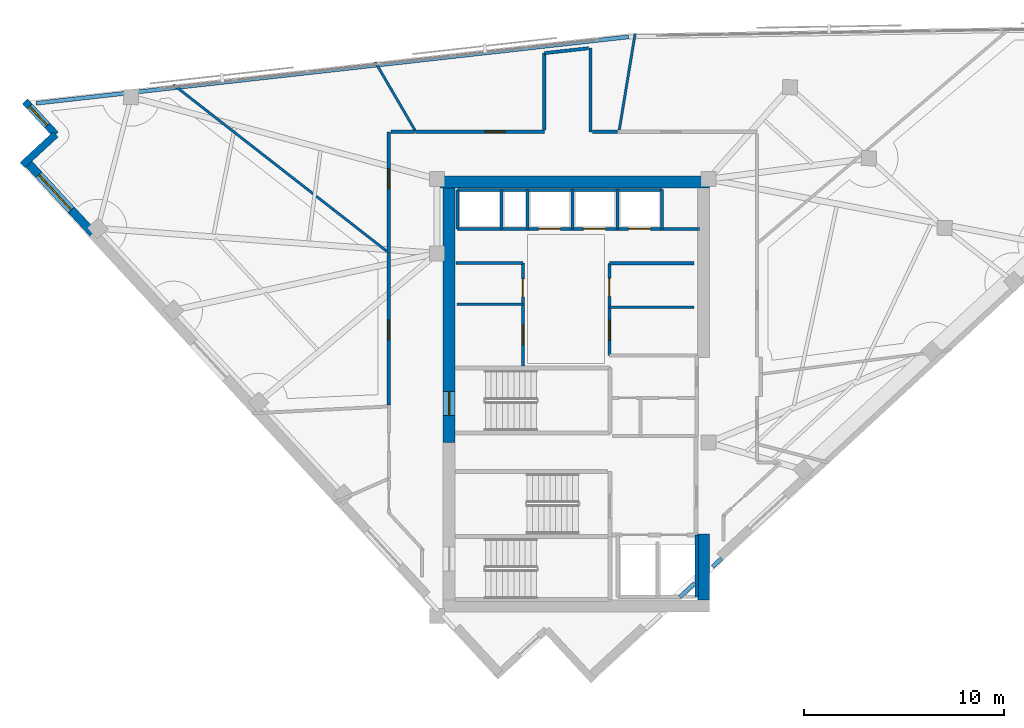
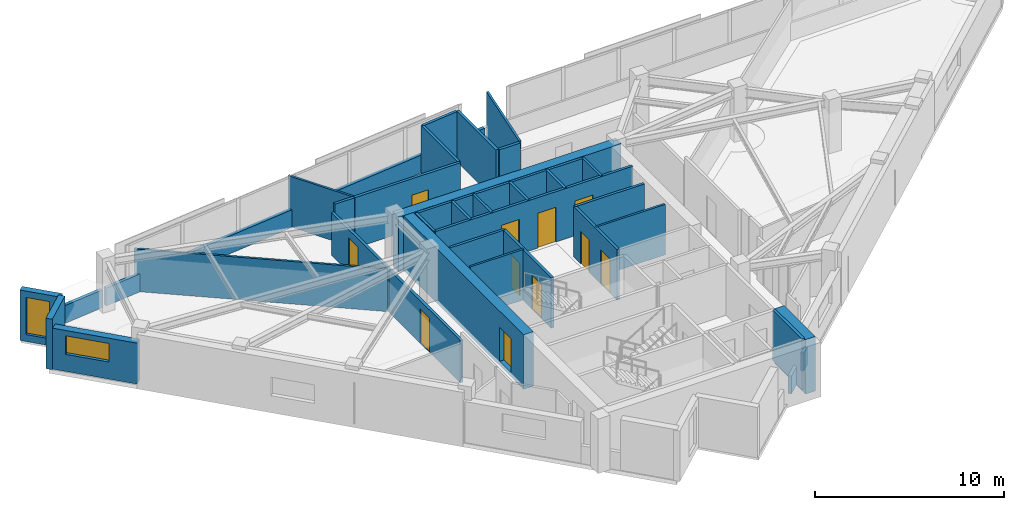
# One storey, part 9 of 13: 37 walls, 11 doors, 2 windows, 13 openings.
"""IFC4 building model written with IfcOpenShell, lengths in metres."""

from ifc_helpers import new_model, si_unit, direction, frame, frame_2d, origin, place, context, subcontext, project, spatial, rectangle, extrude, material, layer, layer_set, type_object, element, fill, save


model = new_model("IFC4")

# Units and contexts
model_context = context("Model", 3, precision=1e-05, world=origin(), true_north=direction((0.0, 1.0)))
body_context = subcontext(model_context, "Body", "Model", "MODEL_VIEW")
ifc_project = project(units=[si_unit("LENGTHUNIT", "METRE"), si_unit("AREAUNIT", "SQUARE_METRE"), si_unit("VOLUMEUNIT", "CUBIC_METRE"), si_unit("PLANEANGLEUNIT", "RADIAN"), si_unit("MASSUNIT", "GRAM", prefix="KILO")], contexts=[model_context])

# Site, building, storey
site_placement = place(None, origin())
site = spatial("IfcSite", under=ifc_project, at=site_placement, CompositionType="ELEMENT")
building_placement = place(site_placement, origin())
building = spatial("IfcBuilding", under=site, at=building_placement, Name="Narakoshi Arena Tower", CompositionType="ELEMENT")
storey_placement = place(building_placement, frame((0.0, 0.0, 278.340087890625)))
storey = spatial("IfcBuildingStorey", under=building, at=storey_placement, Name="L76", CompositionType="ELEMENT", Elevation=278.340087890625)

# Wall
ifc_material_1 = material(Name="Concrete C50/60", Category="concrete")
ifc_layer_1 = layer(ifc_material_1, 0.60009765625)
ifc_layer_set_1 = layer_set([ifc_layer_1], Name="Concrete C50/60")
wall_type_1 = type_object("IfcWallType", Name="WL-CORE-600", PredefinedType="SHEAR", material=ifc_layer_set_1)
wall_1_placement = place(storey_placement, frame((85.300048828125, 35.5, -0.260009765625), z_axis=(0.0, 0.0, 1.0), x_axis=(0.0, 1.0, 0.0)))
element("IfcWall", 1, at=wall_1_placement, inside=storey, type_object=wall_type_1, Name="L76 Central Core Shear Wall CW-APX-E", PredefinedType="SHEAR", context=body_context, shape_type="SweptSolid", body=[
    extrude(rectangle(XDim=3.300048828125, YDim=0.60009765625, at=frame_2d((1.64990234375, 0.0))), origin(), (0.0, 0.0, 1.0), 3.52001953125),
])

# Wall, opening, door
wall_2_placement = place(storey_placement, frame((72.60009765625, 43.35009765625, -0.260009765625), z_axis=(0.0, 0.0, 1.0), x_axis=(0.0, 1.0, 0.0)))
wall_2 = element("IfcWall", 2, at=wall_2_placement, inside=storey, type_object=wall_type_1, Name="L76 Main Core Shear Wall CW-MN-W", PredefinedType="SHEAR", context=body_context, shape_type="SweptSolid", body=[
    extrude(rectangle(XDim=12.699951171875, YDim=0.60009765625, at=frame_2d((6.35009765625, 0.0))), origin(), (0.0, 0.0, 1.0), 3.52001953125),
])
opening_1_placement = place(wall_2_placement, frame((1.35009765625, 0.0, 0.260009765625)))
opening_1 = element("IfcOpeningElement", 3, at=opening_1_placement, cuts=wall_2, Name="Opening D-03", PredefinedType="OPENING", context=body_context, shape_type="SweptSolid", body=[
    extrude(rectangle(XDim=1.199951171875, YDim=2.199951171875, at=frame_2d((0.60009765625, 1.10009765625))), frame((0.0, 0.31005859375, 0.0), z_axis=(0.0, -1.0, 0.0), x_axis=(1.0, 0.0, 0.0)), (0.0, 0.0, 1.0), 0.6201171875),
])
ifc_material_2 = material(Name="Painted galvanized steel", Category="steel")
door_type_1 = type_object("IfcDoorType", Name="DR-STR-1200", OperationType="NOTDEFINED", PredefinedType="USERDEFINED", material=ifc_material_2)
door_1_placement = place(opening_1_placement, frame((1.199951171875, 0.0, 0.0), z_axis=(0.0, 0.0, 1.0), x_axis=(-1.0, 0.0, 0.0)))
door_1 = element("IfcDoor", 4, at=door_1_placement, inside=storey, type_object=door_type_1, Name="DR-L76-006", ObjectType="EXITDOOR", OperationType="SINGLE_SWING_LEFT", OverallHeight=2.199951171875, OverallWidth=1.199951171875, PredefinedType="USERDEFINED", context=body_context, shape_type="SweptSolid", body=[
    extrude(rectangle(XDim=1.199951171875, YDim=2.199951171875, at=frame_2d((0.60009765625, 1.10009765625))), frame((0.0, 0.02490234375, 0.0), z_axis=(0.0, -1.0, 0.0), x_axis=(1.0, 0.0, 0.0)), (0.0, 0.0, 1.0), 0.050048828125),
])
fill(opening_1, door_1)

# Wall
wall_3_placement = place(storey_placement, frame((72.0, 56.35009765625, -0.260009765625), z_axis=(0.0, 0.0, 1.0), x_axis=(1.0, 0.0, 0.0)))
element("IfcWall", 5, at=wall_3_placement, inside=storey, type_object=wall_type_1, Name="L76 Main Core Shear Wall CW-MN-N", PredefinedType="SHEAR", context=body_context, shape_type="SweptSolid", body=[
    extrude(rectangle(XDim=13.60009765625, YDim=0.60009765625, at=frame_2d((6.800048828125, 0.0))), origin(), (0.0, 0.0, 1.0), 3.52001953125),
])

# Wall, opening, door
ifc_material_3 = material(Name="Gypsum plasterboard fire-rated partition")
ifc_layer_2 = layer(ifc_material_3, 0.1650390625)
ifc_layer_set_2 = layer_set([ifc_layer_2], Name="Gypsum plasterboard fire-rated partition")
wall_type_2 = type_object("IfcWallType", Name="WL-CORR-165", PredefinedType="PARTITIONING", material=ifc_layer_set_2)
wall_4_placement = place(storey_placement, frame((77.35009765625, 58.861328125, 0.0), z_axis=(0.0, 0.0, 1.0), x_axis=(-1.0, 0.0, 0.0)))
wall_4 = element("IfcWall", 6, at=wall_4_placement, inside=storey, type_object=wall_type_2, Name="L76 Corridor Partition 07-1", PredefinedType="PARTITIONING", context=body_context, shape_type="SweptSolid", body=[
    extrude(rectangle(XDim=6.44287109375, YDim=0.1650390625, at=frame_2d((3.221435546875, 0.0))), origin(), (0.0, 0.0, 1.0), 3.260009765625),
])
opening_2_placement = place(wall_4_placement, frame((1.965087890625, 0.0, 0.0)))
opening_2 = element("IfcOpeningElement", 7, at=opening_2_placement, cuts=wall_4, Name="Opening D-06", PredefinedType="OPENING", context=body_context, shape_type="SweptSolid", body=[
    extrude(rectangle(XDim=1.0, YDim=2.199951171875, at=frame_2d((0.5, 1.10009765625))), frame((0.0, 0.092529296875, 0.0), z_axis=(0.0, -1.0, 0.0), x_axis=(1.0, 0.0, 0.0)), (0.0, 0.0, 1.0), 0.18505859375),
])
ifc_material_4 = material(Name="Stained oak solid-core timber", Category="wood")
door_type_2 = type_object("IfcDoorType", Name="DR-OFF-1000", OperationType="NOTDEFINED", PredefinedType="DOOR", material=ifc_material_4)
door_2_placement = place(opening_2_placement, frame((1.0, 0.0, 0.0), z_axis=(0.0, 0.0, 1.0), x_axis=(-1.0, 0.0, 0.0)))
door_2 = element("IfcDoor", 8, at=door_2_placement, inside=storey, type_object=door_type_2, Name="DR-L76-023", OperationType="SINGLE_SWING_RIGHT", OverallHeight=2.199951171875, OverallWidth=1.0, PredefinedType="DOOR", context=body_context, shape_type="SweptSolid", body=[
    extrude(rectangle(XDim=1.0, YDim=2.199951171875, at=frame_2d((0.5, 1.10009765625))), frame((0.0, 0.02490234375, 0.0), z_axis=(0.0, -1.0, 0.0), x_axis=(1.0, 0.0, 0.0)), (0.0, 0.0, 1.0), 0.050048828125),
])
fill(opening_2, door_2)

# Walls
wall_5_placement = place(storey_placement, frame((79.64990234375, 58.861328125, 0.0), z_axis=(0.0, 0.0, 1.0), x_axis=(0.0, 1.0, 0.0)))
element("IfcWall", 9, at=wall_5_placement, inside=storey, type_object=wall_type_2, Name="L76 Corridor Partition 07-2", PredefinedType="PARTITIONING", context=body_context, shape_type="SweptSolid", body=[
    extrude(rectangle(XDim=4.1865234375, YDim=0.1650390625, at=frame_2d((2.09326171875, 0.0))), origin(), (0.0, 0.0, 1.0), 3.260009765625),
])
wall_6_placement = place(storey_placement, frame((77.35009765625, 62.7900390625, 0.0), z_axis=(0.0, 0.0, 1.0), x_axis=(0.0, -1.0, 0.0)))
element("IfcWall", 10, at=wall_6_placement, inside=storey, type_object=wall_type_2, Name="L76 Corridor Partition 07-3", PredefinedType="PARTITIONING", context=body_context, shape_type="SweptSolid", body=[
    extrude(rectangle(XDim=3.834228515625, YDim=0.1650390625, at=frame_2d((1.9169921875, 0.0))), origin(), (0.0, 0.0, 1.0), 3.260009765625),
])
wall_7_placement = place(storey_placement, frame((79.555419921875, 63.037353515625, 0.0), z_axis=(0.0, 0.0, 1.0), x_axis=(-0.993770518254, -0.11144575833, 0.0)))
element("IfcWall", 11, at=wall_7_placement, inside=storey, type_object=wall_type_2, Name="L76 Corridor Partition 07-4", PredefinedType="PARTITIONING", context=body_context, shape_type="SweptSolid", body=[
    extrude(rectangle(XDim=2.21923828125, YDim=0.1650390625, at=frame_2d((1.109619140625, 0.0))), origin(), (0.0, 0.0, 1.0), 3.260009765625),
])
wall_8_placement = place(storey_placement, frame((81.012451171875, 58.861328125, 0.0), z_axis=(0.0, 0.0, 1.0), x_axis=(-1.0, 0.0, 0.0)))
element("IfcWall", 12, at=wall_8_placement, inside=storey, type_object=wall_type_2, Name="L76 Corridor Partition 07-5", PredefinedType="PARTITIONING", context=body_context, shape_type="SweptSolid", body=[
    extrude(rectangle(XDim=1.26806640625, YDim=0.1650390625, at=frame_2d((0.634033203125, 0.0))), origin(), (0.0, 0.0, 1.0), 3.260009765625),
])

# Wall, opening, door
wall_9_placement = place(storey_placement, frame((69.588623046875, 58.861328125, 0.0), z_axis=(0.0, 0.0, 1.0), x_axis=(0.0, -1.0, 0.0)))
wall_9 = element("IfcWall", 13, at=wall_9_placement, inside=storey, type_object=wall_type_2, Name="L76 Corridor Partition 08-1", PredefinedType="PARTITIONING", context=body_context, shape_type="SweptSolid", body=[
    extrude(rectangle(XDim=6.08349609375, YDim=0.1650390625, at=frame_2d((3.041748046875, 0.0))), origin(), (0.0, 0.0, 1.0), 2.744873046875),
])
opening_3_placement = place(wall_9_placement, frame((1.839111328125, 0.0, 0.0)))
opening_3 = element("IfcOpeningElement", 14, at=opening_3_placement, cuts=wall_9, Name="Opening D-06", PredefinedType="OPENING", context=body_context, shape_type="SweptSolid", body=[
    extrude(rectangle(XDim=1.0, YDim=2.199951171875, at=frame_2d((0.5, 1.10009765625))), frame((0.0, 0.092529296875, 0.0), z_axis=(0.0, -1.0, 0.0), x_axis=(1.0, 0.0, 0.0)), (0.0, 0.0, 1.0), 0.18505859375),
])
door_3_placement = place(opening_3_placement, frame((1.0, 0.0, 0.0), z_axis=(0.0, 0.0, 1.0), x_axis=(-1.0, 0.0, 0.0)))
door_3 = element("IfcDoor", 15, at=door_3_placement, inside=storey, type_object=door_type_2, Name="DR-L76-024", OperationType="SINGLE_SWING_LEFT", OverallHeight=2.199951171875, OverallWidth=1.0, PredefinedType="DOOR", context=body_context, shape_type="SweptSolid", body=[
    extrude(rectangle(XDim=1.0, YDim=2.199951171875, at=frame_2d((0.5, 1.10009765625))), frame((0.0, 0.02490234375, 0.0), z_axis=(0.0, -1.0, 0.0), x_axis=(1.0, 0.0, 0.0)), (0.0, 0.0, 1.0), 0.050048828125),
])
fill(opening_3, door_3)

# Wall
wall_10_placement = place(storey_placement, frame((70.879150390625, 58.861328125, 0.0), z_axis=(0.0, 0.0, 1.0), x_axis=(-1.0, 0.0, 0.0)))
element("IfcWall", 16, at=wall_10_placement, inside=storey, type_object=wall_type_2, Name="L76 Corridor Partition 08-2", PredefinedType="PARTITIONING", context=body_context, shape_type="SweptSolid", body=[
    extrude(rectangle(XDim=1.196044921875, YDim=0.1650390625, at=frame_2d((0.59814453125, 0.0))), origin(), (0.0, 0.0, 1.0), 3.260009765625),
])

# Wall, opening, door
wall_11_placement = place(storey_placement, frame((69.588623046875, 52.74755859375, 0.0), z_axis=(0.0, 0.0, 1.0), x_axis=(0.0, -1.0, 0.0)))
wall_11 = element("IfcWall", 17, at=wall_11_placement, inside=storey, type_object=wall_type_2, Name="L76 Corridor Partition 09-1", PredefinedType="PARTITIONING", context=body_context, shape_type="SweptSolid", body=[
    extrude(rectangle(XDim=7.53125, YDim=0.1650390625, at=frame_2d((3.765625, 0.0))), origin(), (0.0, 0.0, 1.0), 2.744873046875),
])
opening_4_placement = place(wall_11_placement, frame((3.265625, 0.0, 0.0)))
opening_4 = element("IfcOpeningElement", 18, at=opening_4_placement, cuts=wall_11, Name="Opening D-06", PredefinedType="OPENING", context=body_context, shape_type="SweptSolid", body=[
    extrude(rectangle(XDim=1.0, YDim=2.199951171875, at=frame_2d((0.5, 1.10009765625))), frame((0.0, 0.092529296875, 0.0), z_axis=(0.0, -1.0, 0.0), x_axis=(1.0, 0.0, 0.0)), (0.0, 0.0, 1.0), 0.18505859375),
])
door_4_placement = place(opening_4_placement, frame((1.0, 0.0, 0.0), z_axis=(0.0, 0.0, 1.0), x_axis=(-1.0, 0.0, 0.0)))
door_4 = element("IfcDoor", 19, at=door_4_placement, inside=storey, type_object=door_type_2, Name="DR-L76-025", OperationType="SINGLE_SWING_RIGHT", OverallHeight=2.199951171875, OverallWidth=1.0, PredefinedType="DOOR", context=body_context, shape_type="SweptSolid", body=[
    extrude(rectangle(XDim=1.0, YDim=2.199951171875, at=frame_2d((0.5, 1.10009765625))), frame((0.0, 0.02490234375, 0.0), z_axis=(0.0, -1.0, 0.0), x_axis=(1.0, 0.0, 0.0)), (0.0, 0.0, 1.0), 0.050048828125),
])
fill(opening_4, door_4)

# Walls
ifc_material_5 = material(Name="Precast concrete C45/55", Category="concrete")
ifc_layer_3 = layer(ifc_material_5, 0.25)
ifc_layer_set_3 = layer_set([ifc_layer_3], Name="Precast concrete C45/55")
wall_type_3 = type_object("IfcWallType", Name="WL-PARA-250", PredefinedType="PARAPET", material=ifc_layer_set_3)
wall_12_placement = place(storey_placement, frame((81.556640625, 63.603759765625, 0.0), z_axis=(0.0, 0.0, 1.0), x_axis=(-0.993776455024, -0.111392806945, 0.0)))
element("IfcWall", 20, at=wall_12_placement, inside=storey, type_object=wall_type_3, Name="L76 Hypotenuse Sill Upstand Parapet 2-01", PredefinedType="PARAPET", context=body_context, shape_type="SweptSolid", body=[
    extrude(rectangle(XDim=24.891357421875, YDim=0.199951171875, at=frame_2d((12.44580078125, 0.0))), origin(), (0.0, 0.0, 1.0), 1.14990234375),
])
wall_13_placement = place(storey_placement, frame((56.565185546875, 60.802490234375, 0.0), z_axis=(0.0, 0.0, 1.0), x_axis=(-0.99377164586, -0.111435702918, 0.0)))
element("IfcWall", 21, at=wall_13_placement, inside=storey, type_object=wall_type_3, Name="L76 Hypotenuse Sill Upstand Parapet 2-02", PredefinedType="PARAPET", context=body_context, shape_type="SweptSolid", body=[
    extrude(rectangle(XDim=4.6162109375, YDim=0.199951171875, at=frame_2d((2.30810546875, 0.0))), origin(), (0.0, 0.0, 1.0), 1.14990234375),
])
wall_14_placement = place(storey_placement, frame((86.191650390625, 37.56591796875, 0.0), z_axis=(0.0, 0.0, 1.0), x_axis=(-0.734346728958, -0.678774544064, 0.0)))
element("IfcWall", 22, at=wall_14_placement, inside=storey, type_object=wall_type_3, Name="L76 Crown Sill Upstand Parapet 03", PredefinedType="PARAPET", context=body_context, shape_type="SweptSolid", body=[
    extrude(rectangle(XDim=0.614990234375, YDim=0.199951171875, at=frame_2d((0.3076171875, 0.0))), origin(), (0.0, 0.0, 1.0), 1.14990234375),
])
wall_15_placement = place(storey_placement, frame((84.860107421875, 36.3349609375, 0.0), z_axis=(0.0, 0.0, 1.0), x_axis=(-0.734337093013, -0.678784968768, 0.0)))
element("IfcWall", 23, at=wall_15_placement, inside=storey, type_object=wall_type_3, Name="L76 Crown Sill Upstand Parapet 04", PredefinedType="PARAPET", context=body_context, shape_type="SweptSolid", body=[
    extrude(rectangle(XDim=1.02392578125, YDim=0.199951171875, at=frame_2d((0.511962890625, 0.0))), origin(), (0.0, 0.0, 1.0), 1.14990234375),
])
ifc_layer_4 = layer(ifc_material_3, 0.125)
ifc_layer_set_4 = layer_set([ifc_layer_4], Name="Gypsum plasterboard fire-rated partition")
wall_type_4 = type_object("IfcWallType", Name="WL-PART-125", PredefinedType="PARTITIONING", material=ifc_layer_set_4)
wall_16_placement = place(storey_placement, frame((73.0, 50.25, 0.0), z_axis=(0.0, 0.0, 1.0), x_axis=(1.0, 0.0, 0.0)))
element("IfcWall", 24, at=wall_16_placement, inside=storey, type_object=wall_type_4, Name="L76 Core Wall RCL-LR-D2", PredefinedType="PARTITIONING", context=body_context, shape_type="SweptSolid", body=[
    extrude(rectangle(XDim=3.280029296875, YDim=0.125, at=frame_2d((1.64013671875, 0.0))), origin(), (0.0, 0.0, 1.0), 3.260009765625),
])
wall_17_placement = place(storey_placement, frame((80.60009765625, 50.10009765625, 0.0), z_axis=(0.0, 0.0, 1.0), x_axis=(1.0, 0.0, 0.0)))
element("IfcWall", 25, at=wall_17_placement, inside=storey, type_object=wall_type_4, Name="L76 Core Wall RCL-MR-D", PredefinedType="PARTITIONING", context=body_context, shape_type="SweptSolid", body=[
    extrude(rectangle(XDim=4.219970703125, YDim=0.125, at=frame_2d((2.10986328125, 0.0))), origin(), (0.0, 0.0, 1.0), 3.260009765625),
])
wall_18_placement = place(storey_placement, frame((81.0888671875, 58.955810546875, 0.0), z_axis=(0.0, 0.0, 1.0), x_axis=(0.162336796207, 0.986735407593, 0.0)))
element("IfcWall", 26, at=wall_18_placement, inside=storey, type_object=wall_type_4, Name="L76 Inter-Room Partition 06-07", PredefinedType="PARTITIONING", context=body_context, shape_type="SweptSolid", body=[
    extrude(rectangle(XDim=4.877197265625, YDim=0.125, at=frame_2d((2.4384765625, 0.0))), origin(), (0.0, 0.0, 1.0), 3.260009765625),
])
wall_19_placement = place(storey_placement, frame((70.9072265625, 58.916259765625, 0.0), z_axis=(0.0, 0.0, 1.0), x_axis=(-0.503247693996, 0.864142209644, 0.0)))
element("IfcWall", 27, at=wall_19_placement, inside=storey, type_object=wall_type_4, Name="L76 Inter-Room Partition 07-08", PredefinedType="PARTITIONING", context=body_context, shape_type="SweptSolid", body=[
    extrude(rectangle(XDim=3.97021484375, YDim=0.125, at=frame_2d((1.985107421875, 0.0))), origin(), (0.0, 0.0, 1.0), 3.260009765625),
])
wall_20_placement = place(storey_placement, frame((69.494140625, 52.897216796875, 0.0), z_axis=(0.0, 0.0, 1.0), x_axis=(-0.788467994184, 0.615075785694, 0.0)))
element("IfcWall", 28, at=wall_20_placement, inside=storey, type_object=wall_type_4, Name="L76 Inter-Room Partition 08-09", PredefinedType="PARTITIONING", context=body_context, shape_type="SweptSolid", body=[
    extrude(rectangle(XDim=13.52685546875, YDim=0.125, at=frame_2d((6.763427734375, 0.0))), origin(), (0.0, 0.0, 1.0), 2.744873046875),
])

# Wall, opening, window
ifc_layer_5 = layer(ifc_material_5, 0.419921875)
ifc_layer_set_5 = layer_set([ifc_layer_5], Name="Precast concrete C45/55")
wall_type_5 = type_object("IfcWallType", Name="WL-POD-420", PredefinedType="SOLIDWALL", material=ifc_layer_set_5)
wall_21_placement = place(storey_placement, frame((51.5, 57.38720703125, 0.0), z_axis=(0.0, 0.0, 1.0), x_axis=(0.67880684669, -0.734316869537, 0.0)))
wall_21 = element("IfcWall", 29, at=wall_21_placement, inside=storey, type_object=wall_type_5, Name="L76 Architectural Concrete Facade Wall LEGB-1", PredefinedType="SOLIDWALL", context=body_context, shape_type="SweptSolid", body=[
    extrude(rectangle(XDim=4.86865234375, YDim=0.419921875, at=frame_2d((2.434326171875, 0.0))), origin(), (0.0, 0.0, 1.0), 2.64501953125),
])
opening_5_placement = place(wall_21_placement, frame((0.89990234375, 0.0, 1.10009765625)))
opening_5 = element("IfcOpeningElement", 30, at=opening_5_placement, cuts=wall_21, Name="Opening WN-04", PredefinedType="OPENING", context=body_context, shape_type="SweptSolid", body=[
    extrude(rectangle(XDim=2.39990234375, YDim=1.199951171875, at=frame_2d((1.199951171875, 0.60009765625))), frame((0.0, 0.219970703125, 0.0), z_axis=(0.0, -1.0, 0.0), x_axis=(1.0, 0.0, 0.0)), (0.0, 0.0, 1.0), 0.43994140625),
])
ifc_material_6 = material(Name="Bronze-tinted low-E laminated glass", Category="glass")
window_type_1 = type_object("IfcWindowType", Name="WIN-SLT-24x12", PartitioningType="SINGLE_PANEL", PredefinedType="WINDOW", material=ifc_material_6)
window_1_placement = place(opening_5_placement, origin())
window_1 = element("IfcWindow", 31, at=window_1_placement, inside=storey, type_object=window_type_1, Name="L76 LEGB1 Horizontal Slot Window 1", OverallHeight=1.199951171875, OverallWidth=2.39990234375, PartitioningType="SINGLE_PANEL", PredefinedType="WINDOW", context=body_context, shape_type="SweptSolid", body=[
    extrude(rectangle(XDim=2.39990234375, YDim=1.199951171875, at=frame_2d((1.199951171875, 0.60009765625))), frame((0.0, 0.030029296875, 0.0), z_axis=(0.0, -1.0, 0.0), x_axis=(1.0, 0.0, 0.0)), (0.0, 0.0, 1.0), 0.06005859375),
])
fill(opening_5, window_1)

wall_22_placement = place(storey_placement, frame((51.42333984375, 60.38720703125, 0.0), z_axis=(0.0, 0.0, 1.0), x_axis=(0.678792531533, -0.734330102294, 0.0)))
wall_22 = element("IfcWall", 32, at=wall_22_placement, inside=storey, type_object=wall_type_5, Name="L76 Re-Entrant Corner Notch Wall NTN-1", PredefinedType="SOLIDWALL", context=body_context, shape_type="SweptSolid", body=[
    extrude(rectangle(XDim=2.255126953125, YDim=0.360107421875, at=frame_2d((1.12744140625, 0.0))), origin(), (0.0, 0.0, 1.0), 3.260009765625),
])
opening_6_placement = place(wall_22_placement, frame((0.340087890625, 0.0, 0.449951171875)))
opening_6 = element("IfcOpeningElement", 33, at=opening_6_placement, cuts=wall_22, Name="Opening WN-06", PredefinedType="OPENING", context=body_context, shape_type="SweptSolid", body=[
    extrude(rectangle(XDim=1.300048828125, YDim=2.39990234375, at=frame_2d((0.64990234375, 1.199951171875))), frame((0.0, 0.18994140625, 0.0), z_axis=(0.0, -1.0, 0.0), x_axis=(1.0, 0.0, 0.0)), (0.0, 0.0, 1.0), 0.380126953125),
])
window_type_2 = type_object("IfcWindowType", Name="WIN-NTC-16x24", PartitioningType="SINGLE_PANEL", PredefinedType="WINDOW", material=ifc_material_6)
window_2_placement = place(opening_6_placement, origin())
window_2 = element("IfcWindow", 34, at=window_2_placement, inside=storey, type_object=window_type_2, Name="L76 Corner Notch Window NTN", OverallHeight=2.39990234375, OverallWidth=1.300048828125, PartitioningType="SINGLE_PANEL", PredefinedType="WINDOW", context=body_context, shape_type="SweptSolid", body=[
    extrude(rectangle(XDim=1.300048828125, YDim=2.39990234375, at=frame_2d((0.64990234375, 1.199951171875))), frame((0.0, 0.030029296875, 0.0), z_axis=(0.0, -1.0, 0.0), x_axis=(1.0, 0.0, 0.0)), (0.0, 0.0, 1.0), 0.06005859375),
])
fill(opening_6, window_2)

# Walls
wall_23_placement = place(storey_placement, frame((52.9541015625, 58.731201171875, 0.0), z_axis=(0.0, 0.0, 1.0), x_axis=(-0.734330102294, -0.678792531533, 0.0)))
element("IfcWall", 35, at=wall_23_placement, inside=storey, type_object=wall_type_5, Name="L76 Re-Entrant Corner Notch Wall NTN-2", PredefinedType="SOLIDWALL", context=body_context, shape_type="SweptSolid", body=[
    extrude(rectangle(XDim=2.255126953125, YDim=0.360107421875, at=frame_2d((1.12744140625, 0.0))), origin(), (0.0, 0.0, 1.0), 3.260009765625),
])
ifc_material_7 = material(Name="Concrete C40/50", Category="concrete")
ifc_layer_6 = layer(ifc_material_7, 0.280029296875)
ifc_layer_set_6 = layer_set([ifc_layer_6], Name="Concrete C40/50")
wall_type_6 = type_object("IfcWallType", Name="WL-RISER-280", PredefinedType="PLUMBINGWALL", material=ifc_layer_set_6)
for number, where, z_axis, x_axis, name in (
    (36, (73.02001953125, 54.02001953125, 0.0), (0.0, 0.0, 1.0), (0.0, 1.0, 0.0), "L76 Core Wall OBS-W"),
    (37, (75.219970703125, 54.02001953125, 0.0), (0.0, 0.0, 1.0), (0.0, 1.0, 0.0), "L76 Core Wall OBS-M"),
):
    element("IfcWall", number, at=place(storey_placement, frame(where, z_axis=z_axis, x_axis=x_axis)), inside=storey, type_object=wall_type_6, Name=name, PredefinedType="PLUMBINGWALL", context=body_context, shape_type="SweptSolid", body=[
        extrude(rectangle(XDim=1.93994140625, YDim=0.14990234375, at=frame_2d((0.969970703125, 0.0))), origin(), (0.0, 0.0, 1.0), 3.260009765625),
    ])
for number, where, z_axis, x_axis, name in (
    (38, (78.75, 54.02001953125, 0.0), (0.0, 0.0, 1.0), (0.0, 1.0, 0.0), "L76 Core Wall HR-D1"),
    (39, (81.0, 54.02001953125, 0.0), (0.0, 0.0, 1.0), (0.0, 1.0, 0.0), "L76 Core Wall HR-D2"),
):
    element("IfcWall", number, at=place(storey_placement, frame(where, z_axis=z_axis, x_axis=x_axis)), inside=storey, type_object=wall_type_6, Name=name, PredefinedType="PLUMBINGWALL", context=body_context, shape_type="SweptSolid", body=[
        extrude(rectangle(XDim=1.9599609375, YDim=0.14990234375, at=frame_2d((0.97998046875, 0.0))), origin(), (0.0, 0.0, 1.0), 3.260009765625),
    ])
ifc_layer_7 = layer(ifc_material_1, 0.35009765625)
ifc_layer_set_7 = layer_set([ifc_layer_7], Name="Concrete C50/60")
wall_type_7 = type_object("IfcWallType", Name="WL-SHAFT-350", PredefinedType="SOLIDWALL", material=ifc_layer_set_7)
wall_24_placement = place(storey_placement, frame((84.949951171875, 35.64990234375, 0.0), z_axis=(0.0, 0.0, 1.0), x_axis=(0.0, 1.0, 0.0)))
element("IfcWall", 40, at=wall_24_placement, inside=storey, type_object=wall_type_7, Name="L76 Core Wall FF-E", PredefinedType="SOLIDWALL", context=body_context, shape_type="SweptSolid", body=[
    extrude(rectangle(XDim=3.10009765625, YDim=0.179931640625, at=frame_2d((1.550048828125, 0.0))), origin(), (0.0, 0.0, 1.0), 3.260009765625),
])

# Wall, openings, doors
wall_25_placement = place(storey_placement, frame((76.280029296875, 47.179931640625, 0.0), z_axis=(0.0, 0.0, 1.0), x_axis=(0.0, 1.0, 0.0)))
wall_25 = element("IfcWall", 41, at=wall_25_placement, inside=storey, type_object=wall_type_7, Name="L76 Core Wall LR-E", PredefinedType="SOLIDWALL", context=body_context, shape_type="SweptSolid", body=[
    extrude(rectangle(XDim=5.14013671875, YDim=0.159912109375, at=frame_2d((2.570068359375, 0.0))), origin(), (0.0, 0.0, 1.0), 3.260009765625),
])
opening_7_placement = place(wall_25_placement, frame((1.050048828125, 0.0, 0.0)))
opening_7 = element("IfcOpeningElement", 42, at=opening_7_placement, cuts=wall_25, Name="Opening D-06", PredefinedType="OPENING", context=body_context, shape_type="SweptSolid", body=[
    extrude(rectangle(XDim=1.0, YDim=2.199951171875, at=frame_2d((0.5, 1.10009765625))), frame((0.0, 0.08984375, 0.0), z_axis=(0.0, -1.0, 0.0), x_axis=(1.0, 0.0, 0.0)), (0.0, 0.0, 1.0), 0.179931640625),
])
opening_8_placement = place(wall_25_placement, frame((3.449951171875, 0.0, 0.0)))
opening_8 = element("IfcOpeningElement", 43, at=opening_8_placement, cuts=wall_25, Name="Opening D-08", PredefinedType="OPENING", context=body_context, shape_type="SweptSolid", body=[
    extrude(rectangle(XDim=0.89990234375, YDim=2.10009765625, at=frame_2d((0.449951171875, 1.050048828125))), frame((0.0, 0.08984375, 0.0), z_axis=(0.0, -1.0, 0.0), x_axis=(1.0, 0.0, 0.0)), (0.0, 0.0, 1.0), 0.179931640625),
])
door_5_placement = place(opening_7_placement, frame((1.0, 0.0, 0.0), z_axis=(0.0, 0.0, 1.0), x_axis=(-1.0, 0.0, 0.0)))
door_5 = element("IfcDoor", 44, at=door_5_placement, inside=storey, type_object=door_type_2, Name="DR-L76-010", OperationType="SINGLE_SWING_RIGHT", OverallHeight=2.199951171875, OverallWidth=1.0, PredefinedType="DOOR", context=body_context, shape_type="SweptSolid", body=[
    extrude(rectangle(XDim=1.0, YDim=2.199951171875, at=frame_2d((0.5, 1.10009765625))), frame((0.0, 0.02490234375, 0.0), z_axis=(0.0, -1.0, 0.0), x_axis=(1.0, 0.0, 0.0)), (0.0, 0.0, 1.0), 0.050048828125),
])
fill(opening_7, door_5)
ifc_material_8 = material(Name="Moisture-resistant laminate timber", Category="wood")
door_type_3 = type_object("IfcDoorType", Name="DR-WC-900", OperationType="NOTDEFINED", PredefinedType="DOOR", material=ifc_material_8)
door_6_placement = place(opening_8_placement, frame((0.89990234375, 0.0, 0.0), z_axis=(0.0, 0.0, 1.0), x_axis=(-1.0, 0.0, 0.0)))
door_6 = element("IfcDoor", 45, at=door_6_placement, inside=storey, type_object=door_type_3, Name="DR-L76-011", OperationType="SINGLE_SWING_LEFT", OverallHeight=2.10009765625, OverallWidth=0.89990234375, PredefinedType="DOOR", context=body_context, shape_type="SweptSolid", body=[
    extrude(rectangle(XDim=0.89990234375, YDim=2.10009765625, at=frame_2d((0.449951171875, 1.050048828125))), frame((0.0, 0.02490234375, 0.0), z_axis=(0.0, -1.0, 0.0), x_axis=(1.0, 0.0, 0.0)), (0.0, 0.0, 1.0), 0.050048828125),
])
fill(opening_8, door_6)

# Wall
wall_26_placement = place(storey_placement, frame((72.949951171875, 52.320068359375, 0.0), z_axis=(0.0, 0.0, 1.0), x_axis=(1.0, 0.0, 0.0)))
element("IfcWall", 46, at=wall_26_placement, inside=storey, type_object=wall_type_7, Name="L76 Core Wall LR-N", PredefinedType="SOLIDWALL", context=body_context, shape_type="SweptSolid", body=[
    extrude(rectangle(XDim=3.330078125, YDim=0.14990234375, at=frame_2d((1.6650390625, 0.0))), origin(), (0.0, 0.0, 1.0), 3.260009765625),
])

# Wall, openings, doors
wall_27_placement = place(storey_placement, frame((80.60009765625, 47.699951171875, 0.0), z_axis=(0.0, 0.0, 1.0), x_axis=(0.0, 1.0, 0.0)))
wall_27 = element("IfcWall", 47, at=wall_27_placement, inside=storey, type_object=wall_type_7, Name="L76 Core Wall MR-W", PredefinedType="SOLIDWALL", context=body_context, shape_type="SweptSolid", body=[
    extrude(rectangle(XDim=4.60009765625, YDim=0.159912109375, at=frame_2d((2.300048828125, 0.0))), origin(), (0.0, 0.0, 1.0), 3.260009765625),
])
opening_9_placement = place(wall_27_placement, frame((0.75, 0.0, 0.0)))
opening_9 = element("IfcOpeningElement", 48, at=opening_9_placement, cuts=wall_27, Name="Opening D-06", PredefinedType="OPENING", context=body_context, shape_type="SweptSolid", body=[
    extrude(rectangle(XDim=1.0, YDim=2.199951171875, at=frame_2d((0.5, 1.10009765625))), frame((0.0, 0.08984375, 0.0), z_axis=(0.0, -1.0, 0.0), x_axis=(1.0, 0.0, 0.0)), (0.0, 0.0, 1.0), 0.179931640625),
])
opening_10_placement = place(wall_27_placement, frame((2.949951171875, 0.0, 0.0)))
opening_10 = element("IfcOpeningElement", 49, at=opening_10_placement, cuts=wall_27, Name="Opening D-08", PredefinedType="OPENING", context=body_context, shape_type="SweptSolid", body=[
    extrude(rectangle(XDim=0.89990234375, YDim=2.10009765625, at=frame_2d((0.449951171875, 1.050048828125))), frame((0.0, 0.08984375, 0.0), z_axis=(0.0, -1.0, 0.0), x_axis=(1.0, 0.0, 0.0)), (0.0, 0.0, 1.0), 0.179931640625),
])
door_7_placement = place(opening_9_placement, origin())
door_7 = element("IfcDoor", 50, at=door_7_placement, inside=storey, type_object=door_type_2, Name="DR-L76-012", OperationType="SINGLE_SWING_RIGHT", OverallHeight=2.199951171875, OverallWidth=1.0, PredefinedType="DOOR", context=body_context, shape_type="SweptSolid", body=[
    extrude(rectangle(XDim=1.0, YDim=2.199951171875, at=frame_2d((0.5, 1.10009765625))), frame((0.0, 0.02490234375, 0.0), z_axis=(0.0, -1.0, 0.0), x_axis=(1.0, 0.0, 0.0)), (0.0, 0.0, 1.0), 0.050048828125),
])
fill(opening_9, door_7)
door_8_placement = place(opening_10_placement, origin())
door_8 = element("IfcDoor", 51, at=door_8_placement, inside=storey, type_object=door_type_3, Name="DR-L76-013", OperationType="SINGLE_SWING_LEFT", OverallHeight=2.10009765625, OverallWidth=0.89990234375, PredefinedType="DOOR", context=body_context, shape_type="SweptSolid", body=[
    extrude(rectangle(XDim=0.89990234375, YDim=2.10009765625, at=frame_2d((0.449951171875, 1.050048828125))), frame((0.0, 0.02490234375, 0.0), z_axis=(0.0, -1.0, 0.0), x_axis=(1.0, 0.0, 0.0)), (0.0, 0.0, 1.0), 0.050048828125),
])
fill(opening_10, door_8)

# Wall
wall_28_placement = place(storey_placement, frame((80.60009765625, 52.300048828125, 0.0), z_axis=(0.0, 0.0, 1.0), x_axis=(1.0, 0.0, 0.0)))
element("IfcWall", 52, at=wall_28_placement, inside=storey, type_object=wall_type_7, Name="L76 Core Wall MR-N", PredefinedType="SOLIDWALL", context=body_context, shape_type="SweptSolid", body=[
    extrude(rectangle(XDim=4.219970703125, YDim=0.159912109375, at=frame_2d((2.10986328125, 0.0))), origin(), (0.0, 0.0, 1.0), 3.260009765625),
])

# Wall, openings, doors
wall_29_placement = place(storey_placement, frame((73.02001953125, 54.02001953125, 0.0), z_axis=(0.0, 0.0, 1.0), x_axis=(1.0, 0.0, 0.0)))
wall_29 = element("IfcWall", 53, at=wall_29_placement, inside=storey, type_object=wall_type_7, Name="L76 Core Wall NSHF-S", PredefinedType="SOLIDWALL", context=body_context, shape_type="SweptSolid", body=[
    extrude(rectangle(XDim=12.080078125, YDim=0.159912109375, at=frame_2d((6.0400390625, 0.0))), origin(), (0.0, 0.0, 1.0), 3.260009765625),
])
opening_11_placement = place(wall_29_placement, frame((4.030029296875, 0.0, 0.0)))
opening_11 = element("IfcOpeningElement", 54, at=opening_11_placement, cuts=wall_29, Name="Opening LD-01", PredefinedType="OPENING", context=body_context, shape_type="SweptSolid", body=[
    extrude(rectangle(XDim=1.10009765625, YDim=2.25, at=frame_2d((0.550048828125, 1.125))), frame((0.0, 0.08984375, 0.0), z_axis=(0.0, -1.0, 0.0), x_axis=(1.0, 0.0, 0.0)), (0.0, 0.0, 1.0), 0.179931640625),
])
opening_12_placement = place(wall_29_placement, frame((6.280029296875, 0.0, 0.0)))
opening_12 = element("IfcOpeningElement", 55, at=opening_12_placement, cuts=wall_29, Name="Opening LD-01", PredefinedType="OPENING", context=body_context, shape_type="SweptSolid", body=[
    extrude(rectangle(XDim=1.10009765625, YDim=2.25, at=frame_2d((0.550048828125, 1.125))), frame((0.0, 0.08984375, 0.0), z_axis=(0.0, -1.0, 0.0), x_axis=(1.0, 0.0, 0.0)), (0.0, 0.0, 1.0), 0.179931640625),
])
opening_13_placement = place(wall_29_placement, frame((8.530029296875, 0.0, 0.0)))
opening_13 = element("IfcOpeningElement", 56, at=opening_13_placement, cuts=wall_29, Name="Opening LD-01", PredefinedType="OPENING", context=body_context, shape_type="SweptSolid", body=[
    extrude(rectangle(XDim=1.10009765625, YDim=2.25, at=frame_2d((0.550048828125, 1.125))), frame((0.0, 0.08984375, 0.0), z_axis=(0.0, -1.0, 0.0), x_axis=(1.0, 0.0, 0.0)), (0.0, 0.0, 1.0), 0.179931640625),
])
ifc_material_9 = material(Name="Brushed bronze stainless steel", Category="steel")
door_type_4 = type_object("IfcDoorType", Name="DR-LFT-1100", OperationType="DOUBLE_DOOR_SLIDING", PredefinedType="DOOR", material=ifc_material_9)
door_9_placement = place(opening_11_placement, origin())
door_9 = element("IfcDoor", 57, at=door_9_placement, inside=storey, type_object=door_type_4, Name="DR-L76-014", OperationType="DOUBLE_DOOR_SLIDING", OverallHeight=2.25, OverallWidth=1.10009765625, PredefinedType="DOOR", context=body_context, shape_type="SweptSolid", body=[
    extrude(rectangle(XDim=1.10009765625, YDim=2.25, at=frame_2d((0.550048828125, 1.125))), frame((0.0, 0.02490234375, 0.0), z_axis=(0.0, -1.0, 0.0), x_axis=(1.0, 0.0, 0.0)), (0.0, 0.0, 1.0), 0.050048828125),
])
fill(opening_11, door_9)
door_10_placement = place(opening_12_placement, origin())
door_10 = element("IfcDoor", 58, at=door_10_placement, inside=storey, type_object=door_type_4, Name="DR-L76-015", OperationType="DOUBLE_DOOR_SLIDING", OverallHeight=2.25, OverallWidth=1.10009765625, PredefinedType="DOOR", context=body_context, shape_type="SweptSolid", body=[
    extrude(rectangle(XDim=1.10009765625, YDim=2.25, at=frame_2d((0.550048828125, 1.125))), frame((0.0, 0.02490234375, 0.0), z_axis=(0.0, -1.0, 0.0), x_axis=(1.0, 0.0, 0.0)), (0.0, 0.0, 1.0), 0.050048828125),
])
fill(opening_12, door_10)
door_11_placement = place(opening_13_placement, origin())
door_11 = element("IfcDoor", 59, at=door_11_placement, inside=storey, type_object=door_type_4, Name="DR-L76-016", OperationType="DOUBLE_DOOR_SLIDING", OverallHeight=2.25, OverallWidth=1.10009765625, PredefinedType="DOOR", context=body_context, shape_type="SweptSolid", body=[
    extrude(rectangle(XDim=1.10009765625, YDim=2.25, at=frame_2d((0.550048828125, 1.125))), frame((0.0, 0.02490234375, 0.0), z_axis=(0.0, -1.0, 0.0), x_axis=(1.0, 0.0, 0.0)), (0.0, 0.0, 1.0), 0.050048828125),
])
fill(opening_13, door_11)

# Walls
wall_30_placement = place(storey_placement, frame((73.02001953125, 55.9599609375, 0.0), z_axis=(0.0, 0.0, 1.0), x_axis=(1.0, 0.0, 0.0)))
element("IfcWall", 60, at=wall_30_placement, inside=storey, type_object=wall_type_7, Name="L76 Core Wall OBS-N", PredefinedType="SOLIDWALL", context=body_context, shape_type="SweptSolid", body=[
    extrude(rectangle(XDim=3.5, YDim=0.14990234375, at=frame_2d((1.75, 0.0))), origin(), (0.0, 0.0, 1.0), 3.260009765625),
])
wall_31_placement = place(storey_placement, frame((76.52001953125, 54.02001953125, 0.0), z_axis=(0.0, 0.0, 1.0), x_axis=(0.0, 1.0, 0.0)))
element("IfcWall", 61, at=wall_31_placement, inside=storey, type_object=wall_type_7, Name="L76 Core Wall OBS-E", PredefinedType="SOLIDWALL", context=body_context, shape_type="SweptSolid", body=[
    extrude(rectangle(XDim=1.93994140625, YDim=0.14990234375, at=frame_2d((0.969970703125, 0.0))), origin(), (0.0, 0.0, 1.0), 3.260009765625),
])
wall_32_placement = place(storey_placement, frame((83.219970703125, 54.02001953125, 0.0), z_axis=(0.0, 0.0, 1.0), x_axis=(0.0, 1.0, 0.0)))
element("IfcWall", 62, at=wall_32_placement, inside=storey, type_object=wall_type_7, Name="L76 Core Wall HR-E", PredefinedType="SOLIDWALL", context=body_context, shape_type="SweptSolid", body=[
    extrude(rectangle(XDim=1.9599609375, YDim=0.14990234375, at=frame_2d((0.97998046875, 0.0))), origin(), (0.0, 0.0, 1.0), 3.260009765625),
])
wall_33_placement = place(storey_placement, frame((76.52001953125, 55.9599609375, 0.0), z_axis=(0.0, 0.0, 1.0), x_axis=(1.0, 0.0, 0.0)))
element("IfcWall", 63, at=wall_33_placement, inside=storey, type_object=wall_type_7, Name="L76 Core Wall HR-N", PredefinedType="SOLIDWALL", context=body_context, shape_type="SweptSolid", body=[
    extrude(rectangle(XDim=6.699951171875, YDim=0.14990234375, at=frame_2d((3.35009765625, 0.0))), origin(), (0.0, 0.0, 1.0), 3.260009765625),
])

save(model, "model.ifc")
